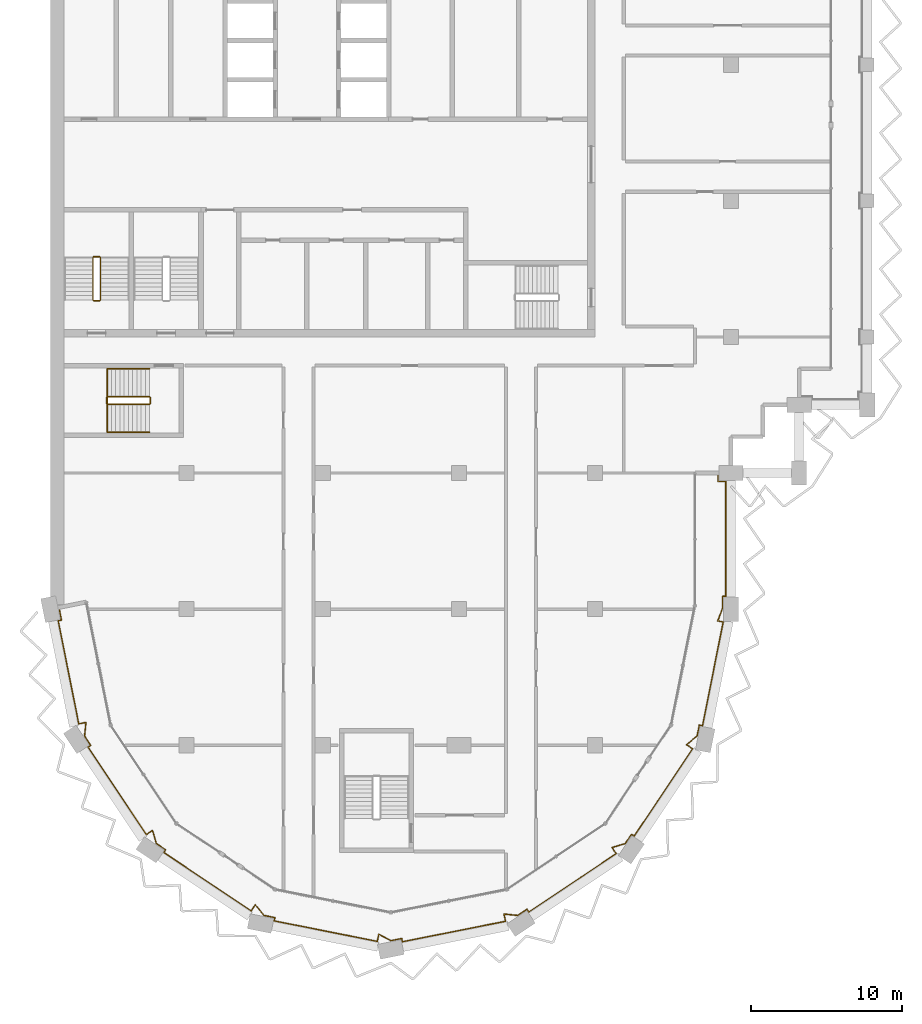
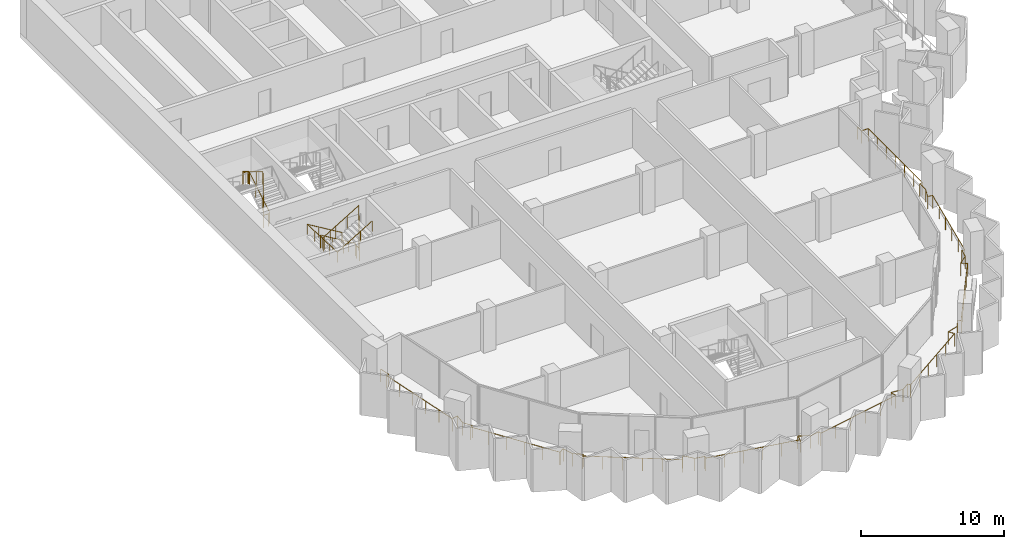
# One storey, part 14 of 16: 4 railings.
"""IFC4 building model written with IfcOpenShell, lengths in metres."""

from ifc_helpers import new_model, si_unit, direction, frame, origin, origin_2d, place, context, subcontext, project, spatial, circle, extrude, material, type_object, element, save


model = new_model("IFC4")

# Units and contexts
model_context = context("Model", 3, precision=1e-05, world=origin(), true_north=direction((0.0, 1.0)))
body_context = subcontext(model_context, "Body", "Model", "MODEL_VIEW")
ifc_project = project(units=[si_unit("LENGTHUNIT", "METRE"), si_unit("AREAUNIT", "SQUARE_METRE"), si_unit("VOLUMEUNIT", "CUBIC_METRE"), si_unit("PLANEANGLEUNIT", "RADIAN"), si_unit("MASSUNIT", "GRAM", prefix="KILO")], contexts=[model_context])

# Site, building, storey
site_placement = place(None, origin())
site = spatial("IfcSite", under=ifc_project, at=site_placement, CompositionType="ELEMENT")
building_placement = place(site_placement, origin())
building = spatial("IfcBuilding", under=site, at=building_placement, Name="Hunhe Ridgeline Campus", CompositionType="ELEMENT")
storey_placement = place(building_placement, frame((0.0, 0.0, 242.89990234375)))
storey = spatial("IfcBuildingStorey", under=building, at=storey_placement, Name="L62", CompositionType="ELEMENT", Elevation=242.89990234375)

# Railings
ifc_material_1 = material(Name="Steel Q355", Category="steel")
railing_type_1 = type_object("IfcRailingType", Name="Loggia guard 1100 Steel Q355", PredefinedType="GUARDRAIL", material=ifc_material_1)
railing_1_placement = place(storey_placement, frame((0.55908203125, 45.111083984375, 0.0)))
element("IfcRailing", 1, at=railing_1_placement, inside=storey, type_object=railing_type_1, Name="Loggia guard 1", PredefinedType="GUARDRAIL", context=body_context, shape_type="SweptSolid", body=[
    extrude(circle(Radius=0.02392578125, at=origin_2d()), frame((0.0, 0.0, 1.076171875), z_axis=(0.195066328581, -0.980790052689, 0.0), x_axis=(0.980790052689, 0.195066328581, 0.0)), (0.0, 0.0, 1.0), 0.849853515625),
    extrude(circle(Radius=0.02392578125, at=origin_2d()), frame((0.165771484375, -0.83349609375, 1.076171875), z_axis=(-0.980750988442, -0.195262640233, 0.0), x_axis=(0.195262640233, -0.980750988442, 0.0)), (0.0, 0.0, 1.0), 0.219970703125),
    extrude(circle(Radius=0.02392578125, at=origin_2d()), frame((-0.050048828125, -0.87646484375, 1.076171875), z_axis=(0.1951025318, -0.980782851647, 0.0), x_axis=(0.980782851647, 0.1951025318, 0.0)), (0.0, 0.0, 1.0), 6.94873046875),
    extrude(circle(Radius=0.02392578125, at=origin_2d()), frame((1.3056640625, -7.691650390625, 1.076171875), z_axis=(0.980791706313, 0.195058014004, 0.0), x_axis=(-0.195058014004, 0.980791706313, 0.0)), (0.0, 0.0, 1.0), 0.488037109375),
    extrude(circle(Radius=0.02392578125, at=origin_2d()), frame((1.784423828125, -7.596435546875, 1.076171875), z_axis=(-0.103312201106, -0.994648977832, 0.0), x_axis=(0.994648977832, -0.103312201106, 0.0)), (0.0, 0.0, 1.0), 0.907470703125),
    extrude(circle(Radius=0.02392578125, at=origin_2d()), frame((1.690673828125, -8.4990234375, 1.076171875), z_axis=(0.555464783965, -0.831540061437, 0.0), x_axis=(0.831540061437, 0.555464783965, 0.0)), (0.0, 0.0, 1.0), 0.736572265625),
    extrude(circle(Radius=0.02392578125, at=origin_2d()), frame((2.099853515625, -9.111572265625, 1.076171875), z_axis=(-0.831708467209, -0.555212594933, 0.0), x_axis=(0.555212594933, -0.831708467209, 0.0)), (0.0, 0.0, 1.0), 0.219970703125),
    extrude(circle(Radius=0.02392578125, at=origin_2d()), frame((1.9169921875, -9.233642578125, 1.076171875), z_axis=(0.555559363791, -0.831476874786, 0.0), x_axis=(0.831476874786, 0.555559363791, 0.0)), (0.0, 0.0, 1.0), 6.948486328125),
    extrude(circle(Radius=0.02392578125, at=origin_2d()), frame((5.77734375, -15.01123046875, 1.076171875), z_axis=(0.831588140797, 0.555392801615, 0.0), x_axis=(-0.555392801615, 0.831588140797, 0.0)), (0.0, 0.0, 1.0), 0.488037109375),
    extrude(circle(Radius=0.02392578125, at=origin_2d()), frame((6.18310546875, -14.740234375, 1.076171875), z_axis=(0.285150626135, -0.958482717849, 0.0), x_axis=(0.958482717849, 0.285150626135, 0.0)), (0.0, 0.0, 1.0), 0.907470703125),
    extrude(circle(Radius=0.02392578125, at=origin_2d()), frame((6.44189453125, -15.610107421875, 1.076171875), z_axis=(0.831540061437, -0.555464783965, 0.0), x_axis=(0.555464783965, 0.831540061437, 0.0)), (0.0, 0.0, 1.0), 0.736572265625),
    extrude(circle(Radius=0.02392578125, at=origin_2d()), frame((7.054443359375, -16.019287109375, 1.076171875), z_axis=(-0.555980009223, -0.831195662491, 0.0), x_axis=(0.831195662491, -0.555980009223, 0.0)), (0.0, 0.0, 1.0), 0.219970703125),
    extrude(circle(Radius=0.02392578125, at=origin_2d()), frame((6.93212890625, -16.2021484375, 1.076171875), z_axis=(0.831460644532, -0.555583654003, 0.0), x_axis=(0.555583654003, 0.831460644532, 0.0)), (0.0, 0.0, 1.0), 6.94873046875),
    extrude(circle(Radius=0.02392578125, at=origin_2d()), frame((12.709716796875, -20.062744140625, 1.076171875), z_axis=(0.555507638283, 0.831511433361, 0.0), x_axis=(-0.831511433361, 0.555507638283, 0.0)), (0.0, 0.0, 1.0), 0.48828125),
    extrude(circle(Radius=0.02392578125, at=origin_2d()), frame((12.98095703125, -19.65673828125, 1.076171875), z_axis=(0.630288754525, -0.776360796227, 0.0), x_axis=(0.776360796227, 0.630288754525, 0.0)), (0.0, 0.0, 1.0), 0.907470703125),
    extrude(circle(Radius=0.02392578125, at=origin_2d()), frame((13.552978515625, -20.361328125, 1.076171875), z_axis=(0.980758742397, -0.19522369019, 0.0), x_axis=(0.19522369019, 0.980758742397, 0.0)), (0.0, 0.0, 1.0), 0.736572265625),
    extrude(circle(Radius=0.02392578125, at=origin_2d()), frame((14.275390625, -20.505126953125, 1.076171875), z_axis=(-0.195262640233, -0.980750988442, 0.0), x_axis=(0.980750988442, -0.195262640233, 0.0)), (0.0, 0.0, 1.0), 0.219970703125),
    extrude(circle(Radius=0.02392578125, at=origin_2d()), frame((14.232421875, -20.720947265625, 1.076171875), z_axis=(0.980789574233, -0.195068734234, 0.0), x_axis=(0.195068734234, 0.980789574233, 0.0)), (0.0, 0.0, 1.0), 6.94873046875),
    extrude(circle(Radius=0.02392578125, at=origin_2d()), frame((21.047607421875, -22.076416015625, 1.076171875), z_axis=(0.195153744134, 0.980772662828, 0.0), x_axis=(-0.980772662828, 0.195153744134, 0.0)), (0.0, 0.0, 1.0), 0.48779296875),
    extrude(circle(Radius=0.02392578125, at=origin_2d()), frame((21.142822265625, -21.597900390625, 1.076171875), z_axis=(0.879371752487, -0.476135821934, 0.0), x_axis=(0.476135821934, 0.879371752487, 0.0)), (0.0, 0.0, 1.0), 0.907470703125),
    extrude(circle(Radius=0.02392578125, at=origin_2d()), frame((21.94091796875, -22.030029296875, 1.076171875), z_axis=(0.980758742397, 0.19522369019, 0.0), x_axis=(-0.19522369019, 0.980758742397, 0.0)), (0.0, 0.0, 1.0), 0.736572265625),
    extrude(circle(Radius=0.02392578125, at=origin_2d()), frame((22.663330078125, -21.88623046875, 1.076171875), z_axis=(0.195262640233, -0.980750988442, 0.0), x_axis=(0.980750988442, 0.195262640233, 0.0)), (0.0, 0.0, 1.0), 0.219970703125),
    extrude(circle(Radius=0.02392578125, at=origin_2d()), frame((22.706298828125, -22.10205078125, 1.076171875), z_axis=(0.980782851647, 0.1951025318, 0.0), x_axis=(-0.1951025318, 0.980782851647, 0.0)), (0.0, 0.0, 1.0), 6.94873046875),
    extrude(circle(Radius=0.02392578125, at=origin_2d()), frame((29.521484375, -20.746337890625, 1.076171875), z_axis=(-0.195058014004, 0.980791706313, 0.0), x_axis=(-0.980791706313, -0.195058014004, 0.0)), (0.0, 0.0, 1.0), 0.488037109375),
    extrude(circle(Radius=0.02392578125, at=origin_2d()), frame((29.42626953125, -20.267578125, 1.076171875), z_axis=(0.994648977832, -0.103312201106, 0.0), x_axis=(0.103312201106, 0.994648977832, 0.0)), (0.0, 0.0, 1.0), 0.907470703125),
    extrude(circle(Radius=0.02392578125, at=origin_2d()), frame((30.328857421875, -20.361328125, 1.076171875), z_axis=(0.831540061437, 0.555464783965, 0.0), x_axis=(-0.555464783965, 0.831540061437, 0.0)), (0.0, 0.0, 1.0), 0.736572265625),
    extrude(circle(Radius=0.02392578125, at=origin_2d()), frame((30.94140625, -19.9521484375, 1.076171875), z_axis=(0.555212594933, -0.831708467209, 0.0), x_axis=(0.831708467209, 0.555212594933, 0.0)), (0.0, 0.0, 1.0), 0.219970703125),
    extrude(circle(Radius=0.02392578125, at=origin_2d()), frame((31.0634765625, -20.135009765625, 1.076171875), z_axis=(0.831476874786, 0.555559363791, 0.0), x_axis=(-0.555559363791, 0.831476874786, 0.0)), (0.0, 0.0, 1.0), 6.948486328125),
    extrude(circle(Radius=0.02392578125, at=origin_2d()), frame((36.841064453125, -16.274658203125, 1.076171875), z_axis=(-0.555392801615, 0.831588140797, 0.0), x_axis=(-0.831588140797, -0.555392801615, 0.0)), (0.0, 0.0, 1.0), 0.488037109375),
    extrude(circle(Radius=0.02392578125, at=origin_2d()), frame((36.570068359375, -15.868896484375, 1.076171875), z_axis=(0.958482717849, 0.285150626135, 0.0), x_axis=(-0.285150626135, 0.958482717849, 0.0)), (0.0, 0.0, 1.0), 0.907470703125),
    extrude(circle(Radius=0.02392578125, at=origin_2d()), frame((37.43994140625, -15.610107421875, 1.076171875), z_axis=(0.555464783965, 0.831540061437, 0.0), x_axis=(-0.831540061437, 0.555464783965, 0.0)), (0.0, 0.0, 1.0), 0.736572265625),
    extrude(circle(Radius=0.02392578125, at=origin_2d()), frame((37.84912109375, -14.99755859375, 1.076171875), z_axis=(0.831195662491, -0.555980009223, 0.0), x_axis=(0.555980009223, 0.831195662491, 0.0)), (0.0, 0.0, 1.0), 0.219970703125),
    extrude(circle(Radius=0.02392578125, at=origin_2d()), frame((38.031982421875, -15.119873046875, 1.076171875), z_axis=(0.555583654003, 0.831460644532, 0.0), x_axis=(-0.831460644532, 0.555583654003, 0.0)), (0.0, 0.0, 1.0), 6.94873046875),
    extrude(circle(Radius=0.02392578125, at=origin_2d()), frame((41.892578125, -9.34228515625, 1.076171875), z_axis=(-0.831511433361, 0.555507638283, 0.0), x_axis=(-0.555507638283, -0.831511433361, 0.0)), (0.0, 0.0, 1.0), 0.48828125),
    extrude(circle(Radius=0.02392578125, at=origin_2d()), frame((41.486572265625, -9.071044921875, 1.076171875), z_axis=(0.776360796227, 0.630288754525, 0.0), x_axis=(-0.630288754525, 0.776360796227, 0.0)), (0.0, 0.0, 1.0), 0.907470703125),
    extrude(circle(Radius=0.02392578125, at=origin_2d()), frame((42.191162109375, -8.4990234375, 1.076171875), z_axis=(0.19522369019, 0.980758742397, 0.0), x_axis=(-0.980758742397, 0.19522369019, 0.0)), (0.0, 0.0, 1.0), 0.736572265625),
    extrude(circle(Radius=0.02392578125, at=origin_2d()), frame((42.3349609375, -7.776611328125, 1.076171875), z_axis=(0.980750988442, -0.195262640233, 0.0), x_axis=(0.195262640233, 0.980750988442, 0.0)), (0.0, 0.0, 1.0), 0.219970703125),
    extrude(circle(Radius=0.02392578125, at=origin_2d()), frame((42.55078125, -7.819580078125, 1.076171875), z_axis=(0.195082678264, 0.980786800809, 0.0), x_axis=(-0.980786800809, 0.195082678264, 0.0)), (0.0, 0.0, 1.0), 6.9970703125),
    extrude(circle(Radius=0.02392578125, at=origin_2d()), frame((43.915771484375, -0.95703125, 1.076171875), z_axis=(-0.980759647752, 0.195219141842, 0.0), x_axis=(-0.195219141842, -0.980759647752, 0.0)), (0.0, 0.0, 1.0), 0.366455078125),
    extrude(circle(Radius=0.02392578125, at=origin_2d()), frame((43.556396484375, -0.885498046875, 1.076171875), z_axis=(0.354074070723, 0.935217382453, 0.0), x_axis=(-0.935217382453, 0.354074070723, 0.0)), (0.0, 0.0, 1.0), 0.88818359375),
    extrude(circle(Radius=0.02392578125, at=origin_2d()), frame((43.870849609375, -0.054931640625, 1.076171875), z_axis=(0.0, 1.0, 0.0), x_axis=(-1.0, 0.0, 0.0)), (0.0, 0.0, 1.0), 0.7939453125),
    extrude(circle(Radius=0.02392578125, at=origin_2d()), frame((43.870849609375, 0.739013671875, 1.076171875), z_axis=(1.0, 0.0, 0.0), x_axis=(0.0, 1.0, 0.0)), (0.0, 0.0, 1.0), 0.219970703125),
    extrude(circle(Radius=0.02392578125, at=origin_2d()), frame((44.0908203125, 0.739013671875, 1.076171875), z_axis=(0.0, 1.0, 0.0), x_axis=(-1.0, 0.0, 0.0)), (0.0, 0.0, 1.0), 7.599853515625),
    extrude(circle(Radius=0.02392578125, at=origin_2d()), frame((44.0908203125, 8.3388671875, 1.076171875), z_axis=(-1.0, 0.0, 0.0), x_axis=(0.0, -1.0, 0.0)), (0.0, 0.0, 1.0), 0.52001953125),
    extrude(circle(Radius=0.02392578125, at=origin_2d()), frame((43.57080078125, 8.3388671875, 1.076171875), z_axis=(0.0, 1.0, 0.0), x_axis=(-1.0, 0.0, 0.0)), (0.0, 0.0, 1.0), 0.550048828125),
    extrude(circle(Radius=0.02099609375, at=origin_2d()), origin(), (0.0, 0.0, 1.0), 1.052001953125),
    extrude(circle(Radius=0.02099609375, at=origin_2d()), frame((0.165771484375, -0.83349609375, 0.0)), (0.0, 0.0, 1.0), 1.052001953125),
    extrude(circle(Radius=0.02099609375, at=origin_2d()), frame((-0.050048828125, -0.87646484375, 0.0)), (0.0, 0.0, 1.0), 1.052001953125),
    extrude(circle(Radius=0.02099609375, at=origin_2d()), frame((0.22119140625, -2.239501953125, 0.0)), (0.0, 0.0, 1.0), 1.052001953125),
    extrude(circle(Radius=0.02099609375, at=origin_2d()), frame((0.4921875, -3.6025390625, 0.0)), (0.0, 0.0, 1.0), 1.052001953125),
    extrude(circle(Radius=0.02099609375, at=origin_2d()), frame((0.763427734375, -4.965576171875, 0.0)), (0.0, 0.0, 1.0), 1.052001953125),
    extrude(circle(Radius=0.02099609375, at=origin_2d()), frame((1.034423828125, -6.32861328125, 0.0)), (0.0, 0.0, 1.0), 1.052001953125),
    extrude(circle(Radius=0.02099609375, at=origin_2d()), frame((1.3056640625, -7.691650390625, 0.0)), (0.0, 0.0, 1.0), 1.052001953125),
    extrude(circle(Radius=0.02099609375, at=origin_2d()), frame((1.784423828125, -7.596435546875, 0.0)), (0.0, 0.0, 1.0), 1.052001953125),
    extrude(circle(Radius=0.02099609375, at=origin_2d()), frame((1.690673828125, -8.4990234375, 0.0)), (0.0, 0.0, 1.0), 1.052001953125),
    extrude(circle(Radius=0.02099609375, at=origin_2d()), frame((2.099853515625, -9.111572265625, 0.0)), (0.0, 0.0, 1.0), 1.052001953125),
    extrude(circle(Radius=0.02099609375, at=origin_2d()), frame((1.9169921875, -9.233642578125, 0.0)), (0.0, 0.0, 1.0), 1.052001953125),
    extrude(circle(Radius=0.02099609375, at=origin_2d()), frame((2.68896484375, -10.38916015625, 0.0)), (0.0, 0.0, 1.0), 1.052001953125),
    extrude(circle(Radius=0.02099609375, at=origin_2d()), frame((3.461181640625, -11.544677734375, 0.0)), (0.0, 0.0, 1.0), 1.052001953125),
    extrude(circle(Radius=0.02099609375, at=origin_2d()), frame((4.233154296875, -12.7001953125, 0.0)), (0.0, 0.0, 1.0), 1.052001953125),
    extrude(circle(Radius=0.02099609375, at=origin_2d()), frame((5.00537109375, -13.855712890625, 0.0)), (0.0, 0.0, 1.0), 1.052001953125),
    extrude(circle(Radius=0.02099609375, at=origin_2d()), frame((5.77734375, -15.01123046875, 0.0)), (0.0, 0.0, 1.0), 1.052001953125),
    extrude(circle(Radius=0.02099609375, at=origin_2d()), frame((6.18310546875, -14.740234375, 0.0)), (0.0, 0.0, 1.0), 1.052001953125),
    extrude(circle(Radius=0.02099609375, at=origin_2d()), frame((6.44189453125, -15.610107421875, 0.0)), (0.0, 0.0, 1.0), 1.052001953125),
    extrude(circle(Radius=0.02099609375, at=origin_2d()), frame((7.054443359375, -16.019287109375, 0.0)), (0.0, 0.0, 1.0), 1.052001953125),
    extrude(circle(Radius=0.02099609375, at=origin_2d()), frame((6.93212890625, -16.2021484375, 0.0)), (0.0, 0.0, 1.0), 1.052001953125),
    extrude(circle(Radius=0.02099609375, at=origin_2d()), frame((8.087646484375, -16.974365234375, 0.0)), (0.0, 0.0, 1.0), 1.052001953125),
    extrude(circle(Radius=0.02099609375, at=origin_2d()), frame((9.2431640625, -17.746337890625, 0.0)), (0.0, 0.0, 1.0), 1.052001953125),
    extrude(circle(Radius=0.02099609375, at=origin_2d()), frame((10.398681640625, -18.5185546875, 0.0)), (0.0, 0.0, 1.0), 1.052001953125),
    extrude(circle(Radius=0.02099609375, at=origin_2d()), frame((11.55419921875, -19.29052734375, 0.0)), (0.0, 0.0, 1.0), 1.052001953125),
    extrude(circle(Radius=0.02099609375, at=origin_2d()), frame((12.709716796875, -20.062744140625, 0.0)), (0.0, 0.0, 1.0), 1.052001953125),
    extrude(circle(Radius=0.02099609375, at=origin_2d()), frame((12.98095703125, -19.65673828125, 0.0)), (0.0, 0.0, 1.0), 1.052001953125),
    extrude(circle(Radius=0.02099609375, at=origin_2d()), frame((13.552978515625, -20.361328125, 0.0)), (0.0, 0.0, 1.0), 1.052001953125),
    extrude(circle(Radius=0.02099609375, at=origin_2d()), frame((14.275390625, -20.505126953125, 0.0)), (0.0, 0.0, 1.0), 1.052001953125),
    extrude(circle(Radius=0.02099609375, at=origin_2d()), frame((14.232421875, -20.720947265625, 0.0)), (0.0, 0.0, 1.0), 1.052001953125),
    extrude(circle(Radius=0.02099609375, at=origin_2d()), frame((15.595458984375, -20.991943359375, 0.0)), (0.0, 0.0, 1.0), 1.052001953125),
    extrude(circle(Radius=0.02099609375, at=origin_2d()), frame((16.95849609375, -21.26318359375, 0.0)), (0.0, 0.0, 1.0), 1.052001953125),
    extrude(circle(Radius=0.02099609375, at=origin_2d()), frame((18.321533203125, -21.5341796875, 0.0)), (0.0, 0.0, 1.0), 1.052001953125),
    extrude(circle(Radius=0.02099609375, at=origin_2d()), frame((19.6845703125, -21.805419921875, 0.0)), (0.0, 0.0, 1.0), 1.052001953125),
    extrude(circle(Radius=0.02099609375, at=origin_2d()), frame((21.047607421875, -22.076416015625, 0.0)), (0.0, 0.0, 1.0), 1.052001953125),
    extrude(circle(Radius=0.02099609375, at=origin_2d()), frame((21.142822265625, -21.597900390625, 0.0)), (0.0, 0.0, 1.0), 1.052001953125),
    extrude(circle(Radius=0.02099609375, at=origin_2d()), frame((21.94091796875, -22.030029296875, 0.0)), (0.0, 0.0, 1.0), 1.052001953125),
    extrude(circle(Radius=0.02099609375, at=origin_2d()), frame((22.663330078125, -21.88623046875, 0.0)), (0.0, 0.0, 1.0), 1.052001953125),
    extrude(circle(Radius=0.02099609375, at=origin_2d()), frame((22.706298828125, -22.10205078125, 0.0)), (0.0, 0.0, 1.0), 1.052001953125),
    extrude(circle(Radius=0.02099609375, at=origin_2d()), frame((24.0693359375, -21.830810546875, 0.0)), (0.0, 0.0, 1.0), 1.052001953125),
    extrude(circle(Radius=0.02099609375, at=origin_2d()), frame((25.432373046875, -21.559814453125, 0.0)), (0.0, 0.0, 1.0), 1.052001953125),
    extrude(circle(Radius=0.02099609375, at=origin_2d()), frame((26.79541015625, -21.28857421875, 0.0)), (0.0, 0.0, 1.0), 1.052001953125),
    extrude(circle(Radius=0.02099609375, at=origin_2d()), frame((28.158447265625, -21.017578125, 0.0)), (0.0, 0.0, 1.0), 1.052001953125),
    extrude(circle(Radius=0.02099609375, at=origin_2d()), frame((29.521484375, -20.746337890625, 0.0)), (0.0, 0.0, 1.0), 1.052001953125),
    extrude(circle(Radius=0.02099609375, at=origin_2d()), frame((29.42626953125, -20.267578125, 0.0)), (0.0, 0.0, 1.0), 1.052001953125),
    extrude(circle(Radius=0.02099609375, at=origin_2d()), frame((30.328857421875, -20.361328125, 0.0)), (0.0, 0.0, 1.0), 1.052001953125),
    extrude(circle(Radius=0.02099609375, at=origin_2d()), frame((30.94140625, -19.9521484375, 0.0)), (0.0, 0.0, 1.0), 1.052001953125),
    extrude(circle(Radius=0.02099609375, at=origin_2d()), frame((31.0634765625, -20.135009765625, 0.0)), (0.0, 0.0, 1.0), 1.052001953125),
    extrude(circle(Radius=0.02099609375, at=origin_2d()), frame((32.218994140625, -19.363037109375, 0.0)), (0.0, 0.0, 1.0), 1.052001953125),
    extrude(circle(Radius=0.02099609375, at=origin_2d()), frame((33.37451171875, -18.5908203125, 0.0)), (0.0, 0.0, 1.0), 1.052001953125),
    extrude(circle(Radius=0.02099609375, at=origin_2d()), frame((34.530029296875, -17.81884765625, 0.0)), (0.0, 0.0, 1.0), 1.052001953125),
    extrude(circle(Radius=0.02099609375, at=origin_2d()), frame((35.685546875, -17.046630859375, 0.0)), (0.0, 0.0, 1.0), 1.052001953125),
    extrude(circle(Radius=0.02099609375, at=origin_2d()), frame((36.841064453125, -16.274658203125, 0.0)), (0.0, 0.0, 1.0), 1.052001953125),
    extrude(circle(Radius=0.02099609375, at=origin_2d()), frame((36.570068359375, -15.868896484375, 0.0)), (0.0, 0.0, 1.0), 1.052001953125),
    extrude(circle(Radius=0.02099609375, at=origin_2d()), frame((37.43994140625, -15.610107421875, 0.0)), (0.0, 0.0, 1.0), 1.052001953125),
    extrude(circle(Radius=0.02099609375, at=origin_2d()), frame((37.84912109375, -14.99755859375, 0.0)), (0.0, 0.0, 1.0), 1.052001953125),
    extrude(circle(Radius=0.02099609375, at=origin_2d()), frame((38.031982421875, -15.119873046875, 0.0)), (0.0, 0.0, 1.0), 1.052001953125),
    extrude(circle(Radius=0.02099609375, at=origin_2d()), frame((38.80419921875, -13.96435546875, 0.0)), (0.0, 0.0, 1.0), 1.052001953125),
    extrude(circle(Radius=0.02099609375, at=origin_2d()), frame((39.576171875, -12.808837890625, 0.0)), (0.0, 0.0, 1.0), 1.052001953125),
    extrude(circle(Radius=0.02099609375, at=origin_2d()), frame((40.348388671875, -11.6533203125, 0.0)), (0.0, 0.0, 1.0), 1.052001953125),
    extrude(circle(Radius=0.02099609375, at=origin_2d()), frame((41.120361328125, -10.497802734375, 0.0)), (0.0, 0.0, 1.0), 1.052001953125),
    extrude(circle(Radius=0.02099609375, at=origin_2d()), frame((41.892578125, -9.34228515625, 0.0)), (0.0, 0.0, 1.0), 1.052001953125),
    extrude(circle(Radius=0.02099609375, at=origin_2d()), frame((41.486572265625, -9.071044921875, 0.0)), (0.0, 0.0, 1.0), 1.052001953125),
    extrude(circle(Radius=0.02099609375, at=origin_2d()), frame((42.191162109375, -8.4990234375, 0.0)), (0.0, 0.0, 1.0), 1.052001953125),
    extrude(circle(Radius=0.02099609375, at=origin_2d()), frame((42.3349609375, -7.776611328125, 0.0)), (0.0, 0.0, 1.0), 1.052001953125),
    extrude(circle(Radius=0.02099609375, at=origin_2d()), frame((42.55078125, -7.819580078125, 0.0)), (0.0, 0.0, 1.0), 1.052001953125),
    extrude(circle(Radius=0.02099609375, at=origin_2d()), frame((42.82373046875, -6.447021484375, 0.0)), (0.0, 0.0, 1.0), 1.052001953125),
    extrude(circle(Radius=0.02099609375, at=origin_2d()), frame((43.0966796875, -5.074462890625, 0.0)), (0.0, 0.0, 1.0), 1.052001953125),
    extrude(circle(Radius=0.02099609375, at=origin_2d()), frame((43.369873046875, -3.7021484375, 0.0)), (0.0, 0.0, 1.0), 1.052001953125),
    extrude(circle(Radius=0.02099609375, at=origin_2d()), frame((43.642822265625, -2.32958984375, 0.0)), (0.0, 0.0, 1.0), 1.052001953125),
    extrude(circle(Radius=0.02099609375, at=origin_2d()), frame((43.915771484375, -0.95703125, 0.0)), (0.0, 0.0, 1.0), 1.052001953125),
    extrude(circle(Radius=0.02099609375, at=origin_2d()), frame((43.556396484375, -0.885498046875, 0.0)), (0.0, 0.0, 1.0), 1.052001953125),
    extrude(circle(Radius=0.02099609375, at=origin_2d()), frame((43.870849609375, -0.054931640625, 0.0)), (0.0, 0.0, 1.0), 1.052001953125),
    extrude(circle(Radius=0.02099609375, at=origin_2d()), frame((43.870849609375, 0.739013671875, 0.0)), (0.0, 0.0, 1.0), 1.052001953125),
    extrude(circle(Radius=0.02099609375, at=origin_2d()), frame((44.0908203125, 0.739013671875, 0.0)), (0.0, 0.0, 1.0), 1.052001953125),
    extrude(circle(Radius=0.02099609375, at=origin_2d()), frame((44.0908203125, 2.005615234375, 0.0)), (0.0, 0.0, 1.0), 1.052001953125),
    extrude(circle(Radius=0.02099609375, at=origin_2d()), frame((44.0908203125, 3.272216796875, 0.0)), (0.0, 0.0, 1.0), 1.052001953125),
    extrude(circle(Radius=0.02099609375, at=origin_2d()), frame((44.0908203125, 4.5390625, 0.0)), (0.0, 0.0, 1.0), 1.052001953125),
    extrude(circle(Radius=0.02099609375, at=origin_2d()), frame((44.0908203125, 5.8056640625, 0.0)), (0.0, 0.0, 1.0), 1.052001953125),
    extrude(circle(Radius=0.02099609375, at=origin_2d()), frame((44.0908203125, 7.072265625, 0.0)), (0.0, 0.0, 1.0), 1.052001953125),
    extrude(circle(Radius=0.02099609375, at=origin_2d()), frame((44.0908203125, 8.3388671875, 0.0)), (0.0, 0.0, 1.0), 1.052001953125),
    extrude(circle(Radius=0.02099609375, at=origin_2d()), frame((43.57080078125, 8.3388671875, 0.0)), (0.0, 0.0, 1.0), 1.052001953125),
    extrude(circle(Radius=0.02099609375, at=origin_2d()), frame((43.57080078125, 8.888916015625, 0.0)), (0.0, 0.0, 1.0), 1.052001953125),
])
ifc_material_2 = material(Name="Stainless steel balustrade", Category="steel")
railing_type_2 = type_object("IfcRailingType", Name="Stair guard 1100 stainless", PredefinedType="GUARDRAIL", material=ifc_material_2)
railing_2_placement = place(storey_placement, frame((3.300048828125, 65.449951171875, 0.168212890625)))
element("IfcRailing", 2, at=railing_2_placement, inside=storey, type_object=railing_type_2, Name="L62 stair S3 guard", PredefinedType="GUARDRAIL", context=body_context, shape_type="SweptSolid", body=[
    extrude(circle(Radius=0.02392578125, at=origin_2d()), frame((0.0, 0.0, 1.076171875), z_axis=(0.0, 0.857242210791, 0.514913383045), x_axis=(-1.0, 0.0, 0.0)), (0.0, 0.0, 1.0), 3.266357421875),
    extrude(circle(Radius=0.02392578125, at=origin_2d()), frame((0.0, 2.800048828125, 2.7578125), z_axis=(-0.707106781187, 0.707106781187, 0.0), x_axis=(-0.707106781187, -0.707106781187, 0.0)), (0.0, 0.0, 1.0), 0.07080078125),
    extrude(circle(Radius=0.02392578125, at=origin_2d()), frame((-0.050048828125, 2.85009765625, 2.7578125), z_axis=(-1.0, 0.0, 0.0), x_axis=(0.0, -1.0, 0.0)), (0.0, 0.0, 1.0), 0.39990234375),
    extrude(circle(Radius=0.02392578125, at=origin_2d()), frame((-0.449951171875, 2.85009765625, 2.7578125), z_axis=(-0.274243871929, -0.274243871929, 0.92172696468), x_axis=(0.707106781187, -0.707106781187, 0.0)), (0.0, 0.0, 1.0), 0.1826171875),
    extrude(circle(Radius=0.02392578125, at=origin_2d()), frame((-0.5, 2.800048828125, 2.92626953125), z_axis=(0.0, -0.857242210791, 0.514913383045), x_axis=(1.0, 0.0, 0.0)), (0.0, 0.0, 1.0), 3.266357421875),
    extrude(circle(Radius=0.02392578125, at=origin_2d()), frame((-0.5, 0.0, 4.60791015625), z_axis=(0.013523522368, -0.013523522368, -0.999817097616), x_axis=(0.707106781187, 0.707106781187, 0.0)), (0.0, 0.0, 1.0), 3.700927734375),
    extrude(circle(Radius=0.02392578125, at=origin_2d()), frame((-0.449951171875, -0.050048828125, 0.90771484375), z_axis=(1.0, 0.0, 0.0), x_axis=(0.0, 1.0, 0.0)), (0.0, 0.0, 1.0), 0.39990234375),
    extrude(circle(Radius=0.02099609375, at=origin_2d()), origin(), (0.0, 0.0, 1.0), 1.052001953125),
    extrude(circle(Radius=0.02099609375, at=origin_2d()), frame((0.0, 0.933349609375, 0.560546875)), (0.0, 0.0, 1.0), 1.052001953125),
    extrude(circle(Radius=0.02099609375, at=origin_2d()), frame((0.0, 1.86669921875, 1.121337890625)), (0.0, 0.0, 1.0), 1.052001953125),
    extrude(circle(Radius=0.02099609375, at=origin_2d()), frame((0.0, 2.800048828125, 1.681884765625)), (0.0, 0.0, 1.0), 1.052001953125),
    extrude(circle(Radius=0.02099609375, at=origin_2d()), frame((-0.050048828125, 2.85009765625, 1.681884765625)), (0.0, 0.0, 1.0), 1.052001953125),
    extrude(circle(Radius=0.02099609375, at=origin_2d()), frame((-0.449951171875, 2.85009765625, 1.681884765625)), (0.0, 0.0, 1.0), 1.052001953125),
    extrude(circle(Radius=0.02099609375, at=origin_2d()), frame((-0.5, 2.800048828125, 1.85009765625)), (0.0, 0.0, 1.0), 1.052001953125),
    extrude(circle(Radius=0.02099609375, at=origin_2d()), frame((-0.5, 1.86669921875, 2.41064453125)), (0.0, 0.0, 1.0), 1.052001953125),
    extrude(circle(Radius=0.02099609375, at=origin_2d()), frame((-0.5, 0.933349609375, 2.971435546875)), (0.0, 0.0, 1.0), 1.052001953125),
    extrude(circle(Radius=0.02099609375, at=origin_2d()), frame((-0.5, 0.0, 3.531982421875)), (0.0, 0.0, 1.0), 1.052001953125),
    extrude(circle(Radius=0.02099609375, at=origin_2d()), frame((-0.487548828125, -0.012451171875, 2.60693359375)), (0.0, 0.0, 1.0), 1.052001953125),
    extrude(circle(Radius=0.02099609375, at=origin_2d()), frame((-0.47509765625, -0.02490234375, 1.681884765625)), (0.0, 0.0, 1.0), 1.052001953125),
    extrude(circle(Radius=0.02099609375, at=origin_2d()), frame((-0.46240234375, -0.03759765625, 0.7568359375)), (0.0, 0.0, 1.0), 1.052001953125),
    extrude(circle(Radius=0.02099609375, at=origin_2d()), frame((-0.449951171875, -0.050048828125, -0.168212890625)), (0.0, 0.0, 1.0), 1.052001953125),
    extrude(circle(Radius=0.02099609375, at=origin_2d()), frame((-0.050048828125, -0.050048828125, -0.168212890625)), (0.0, 0.0, 1.0), 1.052001953125),
])
railing_3_placement = place(storey_placement, frame((6.550048828125, 59.050048828125, 0.168212890625)))
element("IfcRailing", 3, at=railing_3_placement, inside=storey, type_object=railing_type_2, Name="L62 stair W2 guard", PredefinedType="GUARDRAIL", context=body_context, shape_type="SweptSolid", body=[
    extrude(circle(Radius=0.02392578125, at=origin_2d()), frame((0.0, 0.0, 1.076171875), z_axis=(-0.857242210791, 0.0, 0.514913383045), x_axis=(0.0, -1.0, 0.0)), (0.0, 0.0, 1.0), 3.266357421875),
    extrude(circle(Radius=0.02392578125, at=origin_2d()), frame((-2.800048828125, 0.0, 2.7578125), z_axis=(-0.707106781187, -0.707106781187, 0.0), x_axis=(0.707106781187, -0.707106781187, 0.0)), (0.0, 0.0, 1.0), 0.07080078125),
    extrude(circle(Radius=0.02392578125, at=origin_2d()), frame((-2.85009765625, -0.050048828125, 2.7578125), z_axis=(0.0, -1.0, 0.0), x_axis=(1.0, 0.0, 0.0)), (0.0, 0.0, 1.0), 0.39990234375),
    extrude(circle(Radius=0.02392578125, at=origin_2d()), frame((-2.85009765625, -0.449951171875, 2.7578125), z_axis=(0.274243871929, -0.274243871929, 0.92172696468), x_axis=(0.707106781187, 0.707106781187, 0.0)), (0.0, 0.0, 1.0), 0.1826171875),
    extrude(circle(Radius=0.02392578125, at=origin_2d()), frame((-2.800048828125, -0.5, 2.92626953125), z_axis=(0.857242210791, 0.0, 0.514913383045), x_axis=(0.0, 1.0, 0.0)), (0.0, 0.0, 1.0), 3.266357421875),
    extrude(circle(Radius=0.02392578125, at=origin_2d()), frame((0.0, -0.5, 4.60791015625), z_axis=(0.013523522368, 0.013523522368, -0.999817097616), x_axis=(-0.707106781187, 0.707106781187, 0.0)), (0.0, 0.0, 1.0), 3.700927734375),
    extrude(circle(Radius=0.02392578125, at=origin_2d()), frame((0.050048828125, -0.449951171875, 0.90771484375), z_axis=(0.0, 1.0, 0.0), x_axis=(-1.0, 0.0, 0.0)), (0.0, 0.0, 1.0), 0.39990234375),
    extrude(circle(Radius=0.02099609375, at=origin_2d()), origin(), (0.0, 0.0, 1.0), 1.052001953125),
    extrude(circle(Radius=0.02099609375, at=origin_2d()), frame((-0.933349609375, 0.0, 0.560546875)), (0.0, 0.0, 1.0), 1.052001953125),
    extrude(circle(Radius=0.02099609375, at=origin_2d()), frame((-1.86669921875, 0.0, 1.121337890625)), (0.0, 0.0, 1.0), 1.052001953125),
    extrude(circle(Radius=0.02099609375, at=origin_2d()), frame((-2.800048828125, 0.0, 1.681884765625)), (0.0, 0.0, 1.0), 1.052001953125),
    extrude(circle(Radius=0.02099609375, at=origin_2d()), frame((-2.85009765625, -0.050048828125, 1.681884765625)), (0.0, 0.0, 1.0), 1.052001953125),
    extrude(circle(Radius=0.02099609375, at=origin_2d()), frame((-2.85009765625, -0.449951171875, 1.681884765625)), (0.0, 0.0, 1.0), 1.052001953125),
    extrude(circle(Radius=0.02099609375, at=origin_2d()), frame((-2.800048828125, -0.5, 1.85009765625)), (0.0, 0.0, 1.0), 1.052001953125),
    extrude(circle(Radius=0.02099609375, at=origin_2d()), frame((-1.86669921875, -0.5, 2.41064453125)), (0.0, 0.0, 1.0), 1.052001953125),
    extrude(circle(Radius=0.02099609375, at=origin_2d()), frame((-0.933349609375, -0.5, 2.971435546875)), (0.0, 0.0, 1.0), 1.052001953125),
    extrude(circle(Radius=0.02099609375, at=origin_2d()), frame((0.0, -0.5, 3.531982421875)), (0.0, 0.0, 1.0), 1.052001953125),
    extrude(circle(Radius=0.02099609375, at=origin_2d()), frame((0.012451171875, -0.487548828125, 2.60693359375)), (0.0, 0.0, 1.0), 1.052001953125),
    extrude(circle(Radius=0.02099609375, at=origin_2d()), frame((0.02490234375, -0.47509765625, 1.681884765625)), (0.0, 0.0, 1.0), 1.052001953125),
    extrude(circle(Radius=0.02099609375, at=origin_2d()), frame((0.03759765625, -0.46240234375, 0.7568359375)), (0.0, 0.0, 1.0), 1.052001953125),
    extrude(circle(Radius=0.02099609375, at=origin_2d()), frame((0.050048828125, -0.449951171875, -0.168212890625)), (0.0, 0.0, 1.0), 1.052001953125),
    extrude(circle(Radius=0.02099609375, at=origin_2d()), frame((0.050048828125, -0.050048828125, -0.168212890625)), (0.0, 0.0, 1.0), 1.052001953125),
])
ifc_material_3 = material(Name="Stainless steel handrail", Category="steel")
railing_type_3 = type_object("IfcRailingType", Name="Stair handrail 900 stainless", PredefinedType="HANDRAIL", material=ifc_material_3)
railing_4_placement = place(storey_placement, frame((6.550048828125, 60.89990234375, 0.168212890625)))
element("IfcRailing", 4, at=railing_4_placement, inside=storey, type_object=railing_type_3, Name="L62 stair W2 handrail", PredefinedType="HANDRAIL", context=body_context, shape_type="SweptSolid", body=[
    extrude(circle(Radius=0.02392578125, at=origin_2d()), frame((0.0, 0.0, 0.8759765625), z_axis=(-0.857242210791, 0.0, 0.514913383045), x_axis=(0.0, -1.0, 0.0)), (0.0, 0.0, 1.0), 3.266357421875),
    extrude(circle(Radius=0.02392578125, at=origin_2d()), frame((-2.800048828125, 0.0, 2.5576171875), z_axis=(0.0, -0.999198916169, 0.040019069537), x_axis=(1.0, 0.0, 0.0)), (0.0, 0.0, 1.0), 4.203369140625),
    extrude(circle(Radius=0.02392578125, at=origin_2d()), frame((-2.800048828125, -4.199951171875, 2.72607421875), z_axis=(0.857242210791, 0.0, 0.514913383045), x_axis=(0.0, 1.0, 0.0)), (0.0, 0.0, 1.0), 3.266357421875),
    extrude(circle(Radius=0.02099609375, at=origin_2d()), origin(), (0.0, 0.0, 1.0), 0.851806640625),
    extrude(circle(Radius=0.02099609375, at=origin_2d()), frame((-0.933349609375, 0.0, 0.560546875)), (0.0, 0.0, 1.0), 0.851806640625),
    extrude(circle(Radius=0.02099609375, at=origin_2d()), frame((-1.86669921875, 0.0, 1.121337890625)), (0.0, 0.0, 1.0), 0.851806640625),
    extrude(circle(Radius=0.02099609375, at=origin_2d()), frame((-2.800048828125, 0.0, 1.681884765625)), (0.0, 0.0, 1.0), 0.851806640625),
    extrude(circle(Radius=0.02099609375, at=origin_2d()), frame((-2.800048828125, -1.050048828125, 1.723876953125)), (0.0, 0.0, 1.0), 0.851806640625),
    extrude(circle(Radius=0.02099609375, at=origin_2d()), frame((-2.800048828125, -2.10009765625, 1.76611328125)), (0.0, 0.0, 1.0), 0.851806640625),
    extrude(circle(Radius=0.02099609375, at=origin_2d()), frame((-2.800048828125, -3.14990234375, 1.80810546875)), (0.0, 0.0, 1.0), 0.851806640625),
    extrude(circle(Radius=0.02099609375, at=origin_2d()), frame((-2.800048828125, -4.199951171875, 1.85009765625)), (0.0, 0.0, 1.0), 0.851806640625),
    extrude(circle(Radius=0.02099609375, at=origin_2d()), frame((-1.86669921875, -4.199951171875, 2.41064453125)), (0.0, 0.0, 1.0), 0.851806640625),
    extrude(circle(Radius=0.02099609375, at=origin_2d()), frame((-0.933349609375, -4.199951171875, 2.971435546875)), (0.0, 0.0, 1.0), 0.851806640625),
    extrude(circle(Radius=0.02099609375, at=origin_2d()), frame((0.0, -4.199951171875, 3.531982421875)), (0.0, 0.0, 1.0), 0.851806640625),
])

save(model, "model.ifc")
